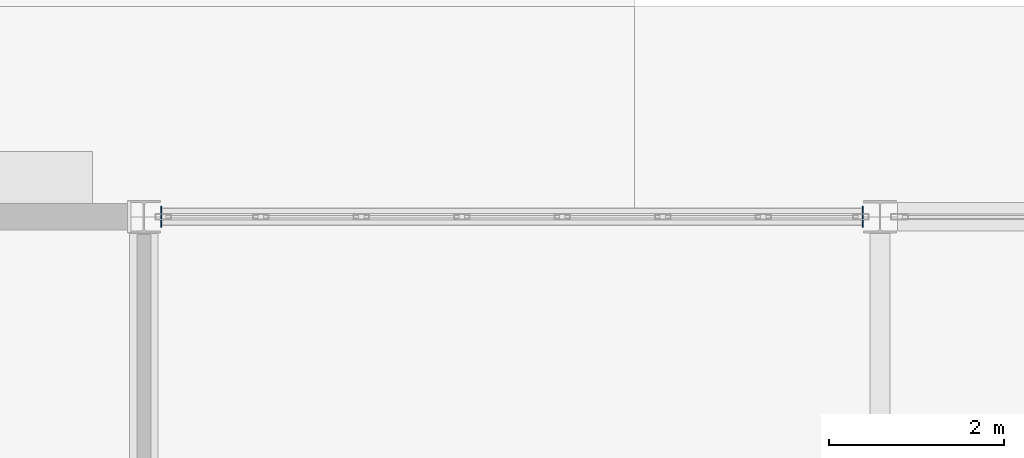
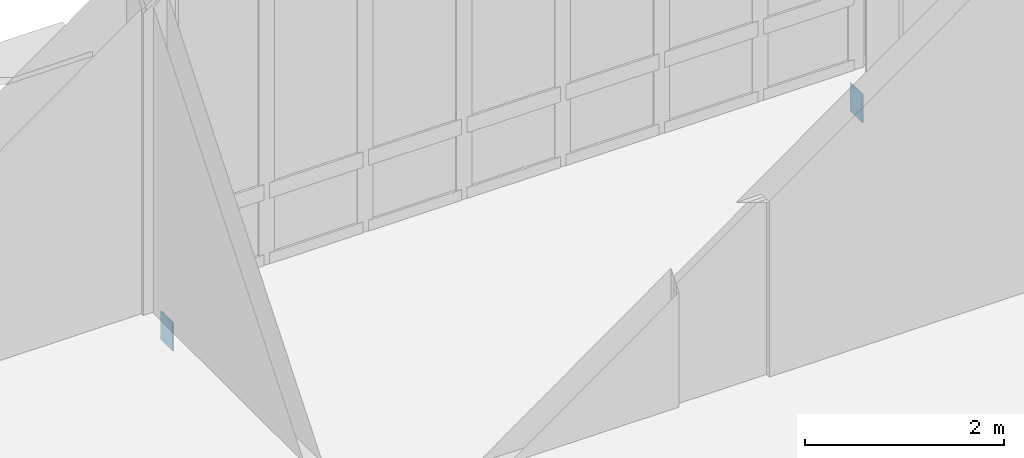
# One storey, part 174 of 229: 2 plates.
"""IFC4 building model written with IfcOpenShell, lengths in metres."""

from ifc_helpers import new_model, si_unit, direction, frame, origin, origin_2d, place, context, subcontext, project, spatial, rectangle, extrude, material, layer, layer_set, type_object, element, save


model = new_model("IFC4")

# Units and contexts
model_context = context("Model", 3, precision=1e-05, world=origin(), true_north=direction((0.0, 1.0)))
body_context = subcontext(model_context, "Body", "Model", "MODEL_VIEW")
ifc_project = project(units=[si_unit("LENGTHUNIT", "METRE"), si_unit("AREAUNIT", "SQUARE_METRE"), si_unit("VOLUMEUNIT", "CUBIC_METRE"), si_unit("PLANEANGLEUNIT", "RADIAN"), si_unit("MASSUNIT", "GRAM", prefix="KILO")], contexts=[model_context])

# Site, building, storey
site_placement = place(None, origin())
site = spatial("IfcSite", under=ifc_project, at=site_placement, CompositionType="ELEMENT")
building_placement = place(site_placement, origin())
building = spatial("IfcBuilding", under=site, at=building_placement, Name="Calvrana Isthmian Art Gallery", CompositionType="ELEMENT")
storey_placement = place(building_placement, origin())
storey = spatial("IfcBuildingStorey", under=building, at=storey_placement, Name="L00", CompositionType="ELEMENT", Elevation=0.0)

# Plates
ifc_material = material(Name="Steel ASTM A572 Gr 50", Category="steel")
ifc_layer = layer(ifc_material, 0.01611328125, Name="Steel ASTM A572 Gr 50")
ifc_layer_set = layer_set([ifc_layer], Name="Steel ASTM A572 Gr 50")
plate_type = type_object("IfcPlateType", Name="PL-CAP-16", PredefinedType="SHEET", material=ifc_layer_set)
for number, where, z_axis, x_axis, name in (
    (1, (38.597900390625, 112.800048828125, -0.60986328125), (0.0, 0.0, 1.0), (1.0, 0.0, 0.0), "Hollow section end cap plate 399"),
    (2, (46.60302734375, 112.800048828125, -0.60986328125), (0.0, 0.0, 1.0), (1.0, 0.0, 0.0), "Hollow section end cap plate 400"),
):
    element("IfcPlate", number, at=place(storey_placement, frame(where, z_axis=z_axis, x_axis=x_axis)), inside=storey, type_object=plate_type, Name=name, PredefinedType="SHEET", context=body_context, shape_type="SweptSolid", body=[
        extrude(rectangle(XDim=0.01611328125, YDim=0.2431640625, at=origin_2d()), origin(), (0.0, 0.0, 1.0), 0.3447265625),
    ])

save(model, "model.ifc")
